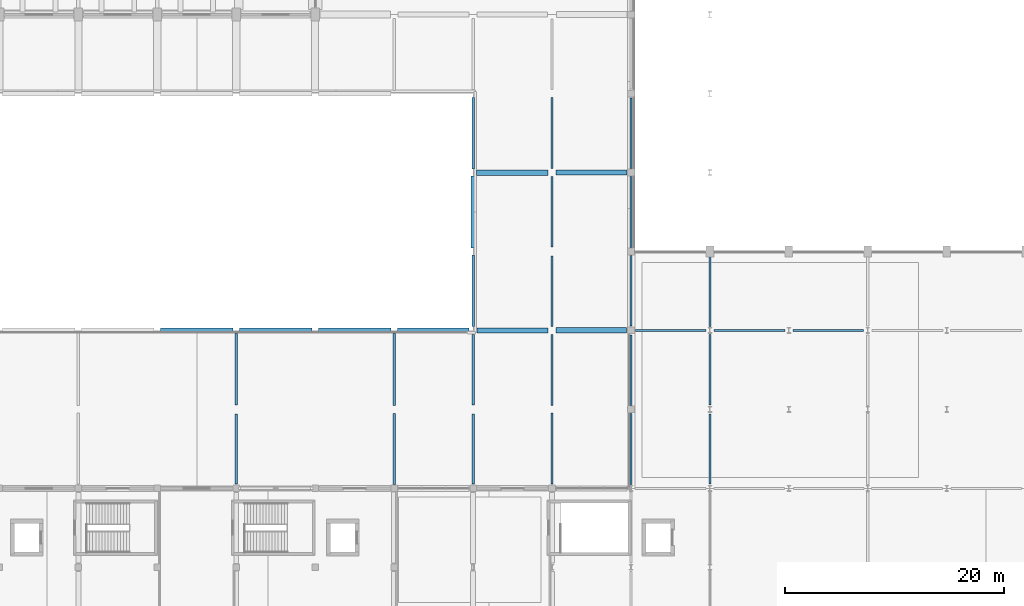
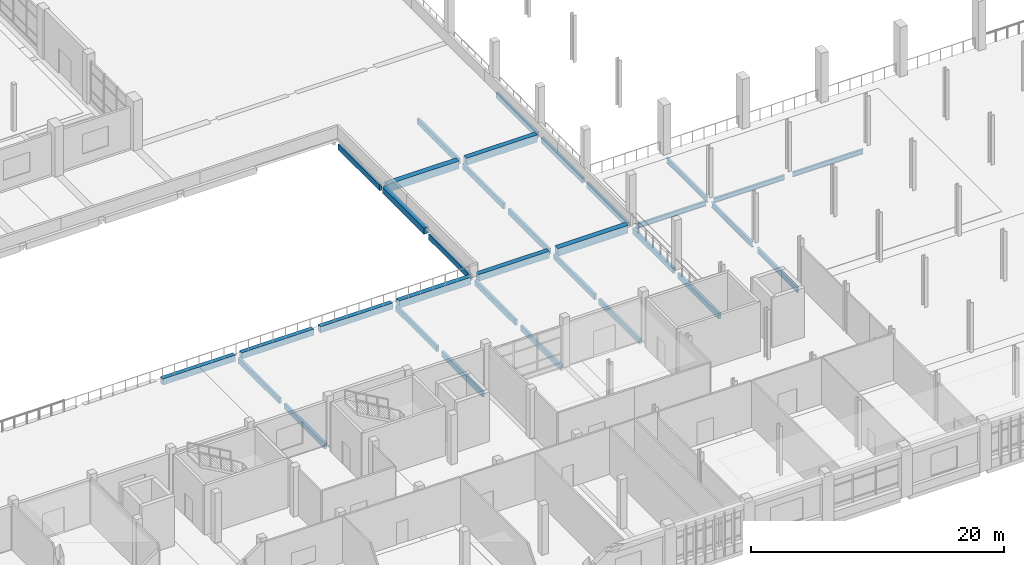
# One storey, part 32 of 82: 33 beams.
"""IFC4 building model written with IfcOpenShell, lengths in metres."""

from ifc_helpers import new_model, si_unit, direction, frame, origin, origin_2d, place, context, subcontext, project, spatial, rectangle, i_section, extrude, material, material_profile, profile_set, type_object, element, save


model = new_model("IFC4")

# Units and contexts
model_context = context("Model", 3, precision=1e-05, world=origin(), true_north=direction((0.0, 1.0)))
body_context = subcontext(model_context, "Body", "Model", "MODEL_VIEW")
ifc_project = project(units=[si_unit("LENGTHUNIT", "METRE"), si_unit("AREAUNIT", "SQUARE_METRE"), si_unit("VOLUMEUNIT", "CUBIC_METRE"), si_unit("PLANEANGLEUNIT", "RADIAN"), si_unit("MASSUNIT", "GRAM", prefix="KILO")], contexts=[model_context])

# Site, building, storey
site_placement = place(None, origin())
site = spatial("IfcSite", under=ifc_project, at=site_placement, CompositionType="ELEMENT")
building_placement = place(site_placement, origin())
building = spatial("IfcBuilding", under=site, at=building_placement, Name="Sardonyx Promenade Sports Hall", CompositionType="ELEMENT")
storey_placement = place(building_placement, frame((0.0, 0.0, 11.199951171875)))
storey = spatial("IfcBuildingStorey", under=building, at=storey_placement, Name="L02", CompositionType="ELEMENT", Elevation=11.199951171875)

# Beams
ifc_material_1 = material(Name="Glulam GL28h", Category="wood")
ifc_material_profile_1 = material_profile(ifc_material_1, rectangle(XDim=0.219970703125, YDim=0.5400390625, at=origin_2d()))
ifc_profile_set_1 = profile_set([ifc_material_profile_1], Name="Glulam GL28h")
beam_type_1 = type_object("IfcBeamType", Name="Bm_Gallery_GL540", PredefinedType="BEAM", material=ifc_profile_set_1)
beam_1_placement = place(storey_placement, frame((72.0, 29.175048828125, -0.510009765625), z_axis=(0.0, 1.0, 0.0), x_axis=(-1.0, 0.0, 0.0)))
element("IfcBeam", 1, at=beam_1_placement, inside=storey, type_object=beam_type_1, Name="Beam GLB2 L02 #615", PredefinedType="BEAM", context=body_context, shape_type="SweptSolid", body=[
    extrude(rectangle(XDim=0.219970703125, YDim=0.5400390625, at=origin_2d()), origin(), (0.0, 0.0, 1.0), 6.425048828125),
])
beam_2_placement = place(storey_placement, frame((72.0, 36.39990234375, -0.510009765625), z_axis=(0.0, 1.0, 0.0), x_axis=(-1.0, 0.0, 0.0)))
element("IfcBeam", 2, at=beam_2_placement, inside=storey, type_object=beam_type_1, Name="Beam GLB2 L02 #616", PredefinedType="BEAM", context=body_context, shape_type="SweptSolid", body=[
    extrude(rectangle(XDim=0.219970703125, YDim=0.5400390625, at=origin_2d()), origin(), (0.0, 0.0, 1.0), 6.5),
])
beam_3_placement = place(storey_placement, frame((86.39990234375, 29.14990234375, -0.510009765625), z_axis=(0.0, 1.0, 0.0), x_axis=(-1.0, 0.0, 0.0)))
element("IfcBeam", 3, at=beam_3_placement, inside=storey, type_object=beam_type_1, Name="Beam GLB2 L02 #623", PredefinedType="BEAM", context=body_context, shape_type="SweptSolid", body=[
    extrude(rectangle(XDim=0.219970703125, YDim=0.5400390625, at=origin_2d()), origin(), (0.0, 0.0, 1.0), 6.47509765625),
])
beam_4_placement = place(storey_placement, frame((86.39990234375, 36.375, -0.510009765625), z_axis=(0.0, 1.0, 0.0), x_axis=(-1.0, 0.0, 0.0)))
element("IfcBeam", 4, at=beam_4_placement, inside=storey, type_object=beam_type_1, Name="Beam GLB2 L02 #624", PredefinedType="BEAM", context=body_context, shape_type="SweptSolid", body=[
    extrude(rectangle(XDim=0.219970703125, YDim=0.5400390625, at=origin_2d()), origin(), (0.0, 0.0, 1.0), 6.52490234375),
])
beam_5_placement = place(storey_placement, frame((93.60009765625, 29.175048828125, -0.510009765625), z_axis=(0.0, 1.0, 0.0), x_axis=(-1.0, 0.0, 0.0)))
element("IfcBeam", 5, at=beam_5_placement, inside=storey, type_object=beam_type_1, Name="Beam GLB2 L02 #630", PredefinedType="BEAM", context=body_context, shape_type="SweptSolid", body=[
    extrude(rectangle(XDim=0.219970703125, YDim=0.5400390625, at=origin_2d()), origin(), (0.0, 0.0, 1.0), 6.425048828125),
])
beam_6_placement = place(storey_placement, frame((93.60009765625, 36.39990234375, -0.510009765625), z_axis=(0.0, 1.0, 0.0), x_axis=(-1.0, 0.0, 0.0)))
element("IfcBeam", 6, at=beam_6_placement, inside=storey, type_object=beam_type_1, Name="Beam GLB2 L02 #631", PredefinedType="BEAM", context=body_context, shape_type="SweptSolid", body=[
    extrude(rectangle(XDim=0.219970703125, YDim=0.5400390625, at=origin_2d()), origin(), (0.0, 0.0, 1.0), 6.4501953125),
])
for number, where, z_axis, x_axis, name in (
    (7, (93.60009765625, 43.550048828125, -0.510009765625), (0.0, 1.0, 0.0), (-1.0, 0.0, 0.0), "Beam GLB2 L02 #632"),
    (8, (93.60009765625, 57.89990234375, -0.510009765625), (0.0, 1.0, 0.0), (-1.0, 0.0, 0.0), "Beam GLB2 L02 #634"),
):
    element("IfcBeam", number, at=place(storey_placement, frame(where, z_axis=z_axis, x_axis=x_axis)), inside=storey, type_object=beam_type_1, Name=name, PredefinedType="BEAM", context=body_context, shape_type="SweptSolid", body=[
        extrude(rectangle(XDim=0.219970703125, YDim=0.5400390625, at=origin_2d()), origin(), (0.0, 0.0, 1.0), 6.550048828125),
    ])
beam_7_placement = place(storey_placement, frame((100.800048828125, 29.199951171875, -0.510009765625), z_axis=(0.0, 1.0, 0.0), x_axis=(-1.0, 0.0, 0.0)))
element("IfcBeam", 9, at=beam_7_placement, inside=storey, type_object=beam_type_1, Name="Beam GLB2 L02 #640", PredefinedType="BEAM", context=body_context, shape_type="SweptSolid", body=[
    extrude(rectangle(XDim=0.219970703125, YDim=0.5400390625, at=origin_2d()), origin(), (0.0, 0.0, 1.0), 6.449951171875),
])
beam_8_placement = place(storey_placement, frame((100.800048828125, 36.35009765625, -0.510009765625), z_axis=(0.0, 1.0, 0.0), x_axis=(-1.0, 0.0, 0.0)))
element("IfcBeam", 10, at=beam_8_placement, inside=storey, type_object=beam_type_1, Name="Beam GLB2 L02 #641", PredefinedType="BEAM", context=body_context, shape_type="SweptSolid", body=[
    extrude(rectangle(XDim=0.219970703125, YDim=0.5400390625, at=origin_2d()), origin(), (0.0, 0.0, 1.0), 6.474853515625),
])
beam_9_placement = place(storey_placement, frame((100.800048828125, 43.574951171875, -0.510009765625), z_axis=(0.0, 1.0, 0.0), x_axis=(-1.0, 0.0, 0.0)))
element("IfcBeam", 11, at=beam_9_placement, inside=storey, type_object=beam_type_1, Name="Beam GLB2 L02 #642", PredefinedType="BEAM", context=body_context, shape_type="SweptSolid", body=[
    extrude(rectangle(XDim=0.219970703125, YDim=0.5400390625, at=origin_2d()), origin(), (0.0, 0.0, 1.0), 6.425048828125),
])
beam_10_placement = place(storey_placement, frame((100.800048828125, 50.800048828125, -0.510009765625), z_axis=(0.0, 1.0, 0.0), x_axis=(-1.0, 0.0, 0.0)))
element("IfcBeam", 12, at=beam_10_placement, inside=storey, type_object=beam_type_1, Name="Beam GLB2 L02 #643", PredefinedType="BEAM", context=body_context, shape_type="SweptSolid", body=[
    extrude(rectangle(XDim=0.219970703125, YDim=0.5400390625, at=origin_2d()), origin(), (0.0, 0.0, 1.0), 6.449951171875),
])
for number, where, z_axis, x_axis, name in (
    (13, (100.800048828125, 57.949951171875, -0.510009765625), (0.0, 1.0, 0.0), (-1.0, 0.0, 0.0), "Beam GLB2 L02 #644"),
    (14, (108.0, 29.14990234375, -0.510009765625), (0.0, 1.0, 0.0), (-1.0, 0.0, 0.0), "Beam GLB2 L02 #650"),
):
    element("IfcBeam", number, at=place(storey_placement, frame(where, z_axis=z_axis, x_axis=x_axis)), inside=storey, type_object=beam_type_1, Name=name, PredefinedType="BEAM", context=body_context, shape_type="SweptSolid", body=[
        extrude(rectangle(XDim=0.219970703125, YDim=0.5400390625, at=origin_2d()), origin(), (0.0, 0.0, 1.0), 6.47509765625),
    ])
beam_11_placement = place(storey_placement, frame((108.0, 36.375, -0.510009765625), z_axis=(0.0, 1.0, 0.0), x_axis=(-1.0, 0.0, 0.0)))
element("IfcBeam", 15, at=beam_11_placement, inside=storey, type_object=beam_type_1, Name="Beam GLB2 L02 #651", PredefinedType="BEAM", context=body_context, shape_type="SweptSolid", body=[
    extrude(rectangle(XDim=0.219970703125, YDim=0.5400390625, at=origin_2d()), origin(), (0.0, 0.0, 1.0), 6.425048828125),
])
beam_12_placement = place(storey_placement, frame((108.0, 43.60009765625, -0.510009765625), z_axis=(0.0, 1.0, 0.0), x_axis=(-1.0, 0.0, 0.0)))
element("IfcBeam", 16, at=beam_12_placement, inside=storey, type_object=beam_type_1, Name="Beam GLB2 L02 #652", PredefinedType="BEAM", context=body_context, shape_type="SweptSolid", body=[
    extrude(rectangle(XDim=0.219970703125, YDim=0.5400390625, at=origin_2d()), origin(), (0.0, 0.0, 1.0), 6.449951171875),
])
beam_13_placement = place(storey_placement, frame((108.0, 50.75, -0.510009765625), z_axis=(0.0, 1.0, 0.0), x_axis=(-1.0, 0.0, 0.0)))
element("IfcBeam", 17, at=beam_13_placement, inside=storey, type_object=beam_type_1, Name="Beam GLB2 L02 #653", PredefinedType="BEAM", context=body_context, shape_type="SweptSolid", body=[
    extrude(rectangle(XDim=0.219970703125, YDim=0.5400390625, at=origin_2d()), origin(), (0.0, 0.0, 1.0), 6.47509765625),
])
beam_14_placement = place(storey_placement, frame((108.0, 57.97509765625, -0.510009765625), z_axis=(0.0, 1.0, 0.0), x_axis=(-1.0, 0.0, 0.0)))
element("IfcBeam", 18, at=beam_14_placement, inside=storey, type_object=beam_type_1, Name="Beam GLB2 L02 #654", PredefinedType="BEAM", context=body_context, shape_type="SweptSolid", body=[
    extrude(rectangle(XDim=0.219970703125, YDim=0.5400390625, at=origin_2d()), origin(), (0.0, 0.0, 1.0), 6.4248046875),
])
ifc_material_2 = material(Name="Concrete C40/50", Category="concrete")
ifc_material_profile_2 = material_profile(ifc_material_2, rectangle(XDim=0.5, YDim=0.75, at=origin_2d()))
ifc_profile_set_2 = profile_set([ifc_material_profile_2], Name="Concrete C40/50")
beam_type_2 = type_object("IfcBeamType", Name="Bm_Girder_RC750", PredefinedType="BEAM", material=ifc_profile_set_2)
beam_15_placement = place(storey_placement, frame((101.175048828125, 43.199951171875, -0.375), z_axis=(1.0, 0.0, 0.0), x_axis=(0.0, 1.0, 0.0)))
element("IfcBeam", 19, at=beam_15_placement, inside=storey, type_object=beam_type_2, Name="Beam BG02 L02 #527", PredefinedType="BEAM", context=body_context, shape_type="SweptSolid", body=[
    extrude(rectangle(XDim=0.5, YDim=0.75, at=origin_2d()), origin(), (0.0, 0.0, 1.0), 6.425048828125),
])
beam_16_placement = place(storey_placement, frame((93.89990234375, 57.60009765625, -0.375), z_axis=(1.0, 0.0, 0.0), x_axis=(0.0, 1.0, 0.0)))
element("IfcBeam", 20, at=beam_16_placement, inside=storey, type_object=beam_type_2, Name="Beam BG02 L02 #539", PredefinedType="BEAM", context=body_context, shape_type="SweptSolid", body=[
    extrude(rectangle(XDim=0.5, YDim=0.75, at=origin_2d()), origin(), (0.0, 0.0, 1.0), 6.550048828125),
])
ifc_material_3 = material(Name="Steel S355JR", Category="steel")
ifc_material_profile_3 = material_profile(ifc_material_3, i_section(OverallWidth=0.18994140625, OverallDepth=0.453369140625, WebThickness=0.008544921875, FlangeThickness=0.0126953125, at=origin_2d()))
ifc_profile_set_3 = profile_set([ifc_material_profile_3], Name="Steel S355JR")
beam_type_3 = type_object("IfcBeamType", Name="Bm_Girder_UB457", PredefinedType="BEAM", material=ifc_profile_set_3)
beam_17_placement = place(storey_placement, frame((108.39990234375, 43.199951171875, -0.5166015625), z_axis=(1.0, 0.0, 0.0), x_axis=(0.0, 1.0, 0.0)))
element("IfcBeam", 21, at=beam_17_placement, inside=storey, type_object=beam_type_3, Name="Beam SB01 L02 #528", PredefinedType="BEAM", context=body_context, shape_type="SweptSolid", body=[
    extrude(i_section(OverallWidth=0.18994140625, OverallDepth=0.453369140625, WebThickness=0.008544921875, FlangeThickness=0.0126953125, at=origin_2d()), origin(), (0.0, 0.0, 1.0), 6.4501953125),
])
beam_18_placement = place(storey_placement, frame((115.550048828125, 43.199951171875, -0.5166015625), z_axis=(1.0, 0.0, 0.0), x_axis=(0.0, 1.0, 0.0)))
element("IfcBeam", 22, at=beam_18_placement, inside=storey, type_object=beam_type_3, Name="Beam SB01 L02 #529", PredefinedType="BEAM", context=body_context, shape_type="SweptSolid", body=[
    extrude(i_section(OverallWidth=0.18994140625, OverallDepth=0.453369140625, WebThickness=0.008544921875, FlangeThickness=0.0126953125, at=origin_2d()), origin(), (0.0, 0.0, 1.0), 6.474853515625),
])
beam_19_placement = place(storey_placement, frame((122.77490234375, 43.199951171875, -0.5166015625), z_axis=(1.0, 0.0, 0.0), x_axis=(0.0, 1.0, 0.0)))
element("IfcBeam", 23, at=beam_19_placement, inside=storey, type_object=beam_type_3, Name="Beam SB01 L02 #530", PredefinedType="BEAM", context=body_context, shape_type="SweptSolid", body=[
    extrude(i_section(OverallWidth=0.18994140625, OverallDepth=0.453369140625, WebThickness=0.008544921875, FlangeThickness=0.0126953125, at=origin_2d()), origin(), (0.0, 0.0, 1.0), 6.425048828125),
])
ifc_material_4 = material(Name="Steel S355JR", Category="steel")
ifc_material_profile_4 = material_profile(ifc_material_4, i_section(OverallWidth=0.199951171875, OverallDepth=0.5, WebThickness=0.01025390625, FlangeThickness=0.01611328125, at=origin_2d()))
ifc_profile_set_4 = profile_set([ifc_material_profile_4], Name="Steel S355JR")
beam_type_4 = type_object("IfcBeamType", Name="Bm_Primary_IPE500", PredefinedType="BEAM", material=ifc_profile_set_4)
beam_20_placement = place(storey_placement, frame((115.199951171875, 29.175048828125, -0.5400390625), z_axis=(0.0, 1.0, 0.0), x_axis=(-1.0, 0.0, 0.0)))
element("IfcBeam", 24, at=beam_20_placement, inside=storey, type_object=beam_type_4, Name="Beam SB06 L02 #664", PredefinedType="BEAM", context=body_context, shape_type="SweptSolid", body=[
    extrude(i_section(OverallWidth=0.199951171875, OverallDepth=0.5, WebThickness=0.01025390625, FlangeThickness=0.01611328125, at=origin_2d()), origin(), (0.0, 0.0, 1.0), 6.425048828125),
])
beam_21_placement = place(storey_placement, frame((115.199951171875, 36.39990234375, -0.5400390625), z_axis=(0.0, 1.0, 0.0), x_axis=(-1.0, 0.0, 0.0)))
element("IfcBeam", 25, at=beam_21_placement, inside=storey, type_object=beam_type_4, Name="Beam SB06 L02 #665", PredefinedType="BEAM", context=body_context, shape_type="SweptSolid", body=[
    extrude(i_section(OverallWidth=0.199951171875, OverallDepth=0.5, WebThickness=0.01025390625, FlangeThickness=0.01611328125, at=origin_2d()), origin(), (0.0, 0.0, 1.0), 6.4501953125),
])
beam_22_placement = place(storey_placement, frame((115.199951171875, 43.550048828125, -0.5400390625), z_axis=(0.0, 1.0, 0.0), x_axis=(-1.0, 0.0, 0.0)))
element("IfcBeam", 26, at=beam_22_placement, inside=storey, type_object=beam_type_4, Name="Beam SB06 L02 #666", PredefinedType="BEAM", context=body_context, shape_type="SweptSolid", body=[
    extrude(i_section(OverallWidth=0.199951171875, OverallDepth=0.5, WebThickness=0.01025390625, FlangeThickness=0.01611328125, at=origin_2d()), origin(), (0.0, 0.0, 1.0), 6.39990234375),
])
ifc_material_5 = material(Name="Concrete C40/50", Category="concrete")
ifc_material_profile_5 = material_profile(ifc_material_5, rectangle(XDim=0.449951171875, YDim=0.64990234375, at=origin_2d()))
ifc_profile_set_5 = profile_set([ifc_material_profile_5], Name="Concrete C40/50")
beam_type_5 = type_object("IfcBeamType", Name="Bm_Primary_RC650", PredefinedType="BEAM", material=ifc_profile_set_5)
beam_23_placement = place(storey_placement, frame((93.949951171875, 43.199951171875, -0.324951171875), z_axis=(1.0, 0.0, 0.0), x_axis=(0.0, 1.0, 0.0)))
element("IfcBeam", 27, at=beam_23_placement, inside=storey, type_object=beam_type_5, Name="Beam BG05 L02 #526", PredefinedType="BEAM", context=body_context, shape_type="SweptSolid", body=[
    extrude(rectangle(XDim=0.449951171875, YDim=0.64990234375, at=origin_2d()), origin(), (0.0, 0.0, 1.0), 6.47509765625),
])
ifc_material_6 = material(Name="Concrete C40/50", Category="concrete")
ifc_material_profile_6 = material_profile(ifc_material_6, rectangle(XDim=0.449951171875, YDim=0.699951171875, at=origin_2d()))
ifc_profile_set_6 = profile_set([ifc_material_profile_6], Name="Concrete C40/50")
beam_type_6 = type_object("IfcBeamType", Name="Bm_Primary_RC700", PredefinedType="BEAM", material=ifc_profile_set_6)
beam_24_placement = place(storey_placement, frame((86.699951171875, 43.199951171875, -0.349853515625), z_axis=(1.0, 0.0, 0.0), x_axis=(0.0, 1.0, 0.0)))
element("IfcBeam", 28, at=beam_24_placement, inside=storey, type_object=beam_type_6, Name="Beam BG01 L02 #525", PredefinedType="BEAM", context=body_context, shape_type="SweptSolid", body=[
    extrude(rectangle(XDim=0.449951171875, YDim=0.699951171875, at=origin_2d()), origin(), (0.0, 0.0, 1.0), 6.550048828125),
])
beam_25_placement = place(storey_placement, frame((101.14990234375, 57.60009765625, -0.349853515625), z_axis=(1.0, 0.0, 0.0), x_axis=(0.0, 1.0, 0.0)))
element("IfcBeam", 29, at=beam_25_placement, inside=storey, type_object=beam_type_6, Name="Beam BG01 L02 #540", PredefinedType="BEAM", context=body_context, shape_type="SweptSolid", body=[
    extrude(rectangle(XDim=0.449951171875, YDim=0.699951171875, at=origin_2d()), origin(), (0.0, 0.0, 1.0), 6.47509765625),
])
ifc_material_7 = material(Name="Concrete C40/50", Category="concrete")
ifc_material_profile_7 = material_profile(ifc_material_7, rectangle(XDim=0.39990234375, YDim=0.60009765625, at=origin_2d()))
ifc_profile_set_7 = profile_set([ifc_material_profile_7], Name="Concrete C40/50")
beam_type_7 = type_object("IfcBeamType", Name="Bm_Spandrel_RC600", PredefinedType="SPANDREL", material=ifc_profile_set_7)
for number, where, z_axis, x_axis, name in (
    (30, (65.10009765625, 43.199951171875, -0.300048828125), (1.0, 0.0, 0.0), (0.0, 1.0, 0.0), "Beam SPB1 L02 #522"),
    (31, (72.300048828125, 43.199951171875, -0.300048828125), (1.0, 0.0, 0.0), (0.0, 1.0, 0.0), "Beam SPB1 L02 #523"),
):
    element("IfcBeam", number, at=place(storey_placement, frame(where, z_axis=z_axis, x_axis=x_axis)), inside=storey, type_object=beam_type_7, Name=name, PredefinedType="SPANDREL", context=body_context, shape_type="SweptSolid", body=[
        extrude(rectangle(XDim=0.39990234375, YDim=0.60009765625, at=origin_2d()), origin(), (0.0, 0.0, 1.0), 6.599853515625),
    ])
for number, where, z_axis, x_axis, name in (
    (32, (79.5, 43.199951171875, -0.300048828125), (1.0, 0.0, 0.0), (0.0, 1.0, 0.0), "Beam SPB1 L02 #524"),
    (33, (93.60009765625, 50.699951171875, -0.300048828125), (0.0, 1.0, 0.0), (-1.0, 0.0, 0.0), "Beam SPB1 L02 #633"),
):
    element("IfcBeam", number, at=place(storey_placement, frame(where, z_axis=z_axis, x_axis=x_axis)), inside=storey, type_object=beam_type_7, Name=name, PredefinedType="SPANDREL", context=body_context, shape_type="SweptSolid", body=[
        extrude(rectangle(XDim=0.39990234375, YDim=0.60009765625, at=origin_2d()), origin(), (0.0, 0.0, 1.0), 6.60009765625),
    ])

save(model, "model.ifc")
